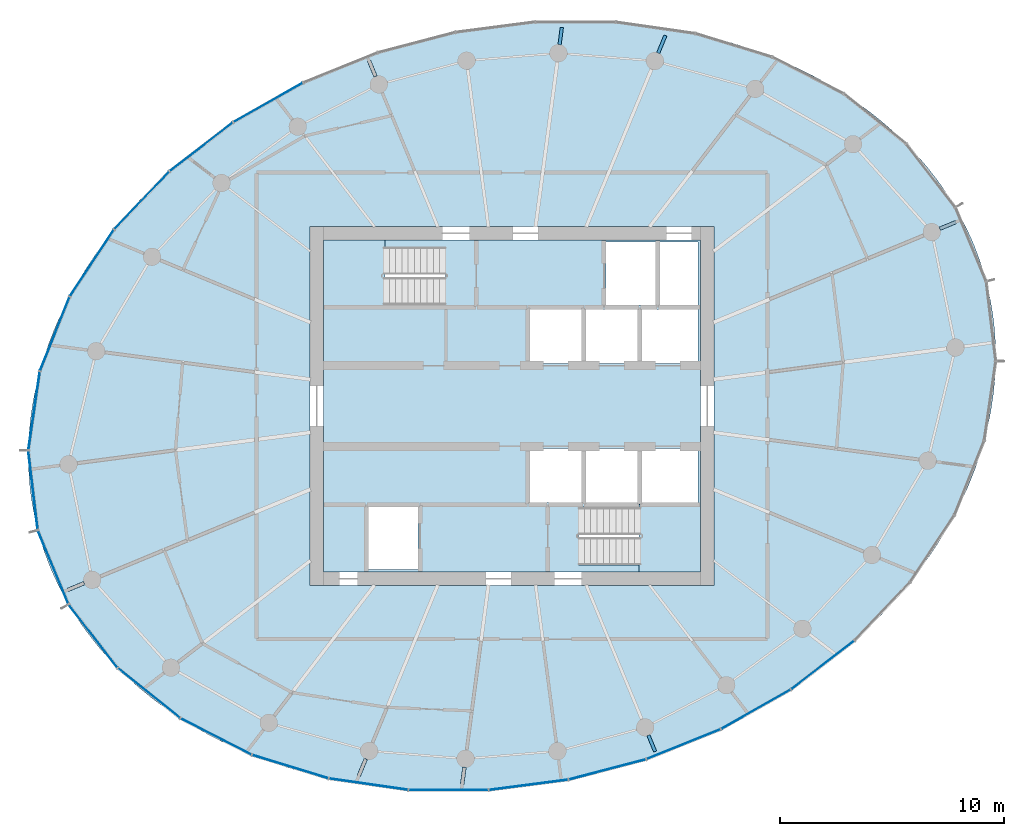
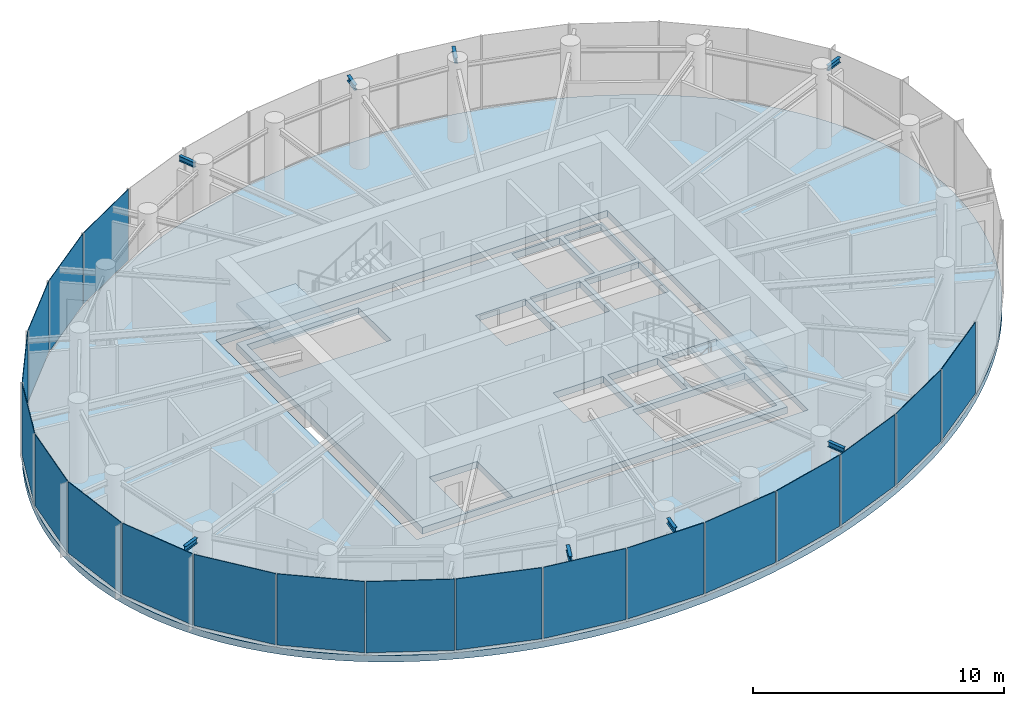
# One storey, part 7 of 13: 19 plates, 8 beams, 4 slabs, 6 elements without a shape of their own.
"""IFC4 building model written with IfcOpenShell, lengths in metres."""

from ifc_helpers import new_model, si_unit, direction, frame, origin, origin_2d, place, context, subcontext, project, spatial, line, indexed_curve, rectangle, i_section, outline, extrude, source, transform, mapped, material, layer, layer_set, material_profile, profile_set, type_object, element, aggregate, save


model = new_model("IFC4")

# Units and contexts
model_context = context("Model", 3, precision=1e-05, world=origin(), true_north=direction((0.0, 1.0)))
body_context = subcontext(model_context, "Body", "Model", "MODEL_VIEW")
ifc_project = project(units=[si_unit("LENGTHUNIT", "METRE"), si_unit("AREAUNIT", "SQUARE_METRE"), si_unit("VOLUMEUNIT", "CUBIC_METRE"), si_unit("PLANEANGLEUNIT", "RADIAN"), si_unit("MASSUNIT", "GRAM", prefix="KILO")], contexts=[model_context])

# Site, building, storey
site_placement = place(None, origin())
site = spatial("IfcSite", under=ifc_project, at=site_placement, CompositionType="ELEMENT")
building_placement = place(site_placement, origin())
building = spatial("IfcBuilding", under=site, at=building_placement, Name="Spindrift Exchange Tower", CompositionType="ELEMENT")
storey_placement = place(building_placement, frame((0.0, 0.0, 257.89990234375)))
storey = spatial("IfcBuildingStorey", under=building, at=storey_placement, Name="L63", CompositionType="ELEMENT", Elevation=257.89990234375)

# Beams
ifc_material_1 = material(Name="Steel Grade 300", Category="steel")
ifc_material_profile = material_profile(ifc_material_1, i_section(OverallWidth=0.14599609375, OverallDepth=0.251953125, WebThickness=0.006103515625, FlangeThickness=0.008544921875, FilletRadius=0.011962890625, at=origin_2d()), Name="250UB31.4")
ifc_profile_set = profile_set([ifc_material_profile], Name="Steel Grade 300")
beam_type = type_object("IfcBeamType", Name="Cantilever Beam 250UB31.4 Steel Grade 300", PredefinedType="BEAM", material=ifc_profile_set)
shared_shape_1 = source(origin(), body_context, "Body", "SweptSolid", [
    extrude(i_section(OverallWidth=0.14599609375, OverallDepth=0.251953125, WebThickness=0.006103515625, FlangeThickness=0.008544921875, FilletRadius=0.011962890625, at=origin_2d()), origin(), (0.0, 0.0, 1.0), 0.844482421875),
])
for number, where, z_axis, x_axis, name in (
    (1, (58.51708984375, 63.733642578125, 3.4541015625), (0.382726229306, 0.923861804277, 0.0), (-0.923861804277, 0.382726229306, 0.0), "L63 cantilever beam R05T"),
    (2, (45.48291015625, 32.266357421875, 3.4541015625), (-0.382726229306, -0.923861804277, 0.0), (0.923861804277, -0.382726229306, 0.0), "L63 cantilever beam R17T"),
):
    element("IfcBeam", number, at=place(storey_placement, frame(where, z_axis=z_axis, x_axis=x_axis)), inside=storey, type_object=beam_type, Name=name, PredefinedType="BEAM", context=body_context, shape_type="MappedRepresentation", body=[
        mapped(shared_shape_1, transform((0.0, 0.0, 0.0), scale=1.0)),
    ])
shared_shape_2 = source(origin(), body_context, "Body", "SweptSolid", [
    extrude(i_section(OverallWidth=0.14599609375, OverallDepth=0.251953125, WebThickness=0.006103515625, FlangeThickness=0.008544921875, FilletRadius=0.011962890625, at=origin_2d()), origin(), (0.0, 0.0, 1.0), 0.7822265625),
])
for number, where, z_axis, x_axis, name in (
    (3, (71.07080078125, 55.8994140625, 3.4541015625), (0.923887493655, 0.382664211899, 0.0), (-0.382664211899, 0.923887493655, 0.0), "L63 cantilever beam R02T"),
    (4, (32.92919921875, 40.1005859375, 3.4541015625), (-0.923887493655, -0.382664211899, 0.0), (0.382664211899, -0.923887493655, 0.0), "L63 cantilever beam R14T"),
):
    element("IfcBeam", number, at=place(storey_placement, frame(where, z_axis=z_axis, x_axis=x_axis)), inside=storey, type_object=beam_type, Name=name, PredefinedType="BEAM", context=body_context, shape_type="MappedRepresentation", body=[
        mapped(shared_shape_2, transform((0.0, 0.0, 0.0), scale=1.0)),
    ])
shared_shape_3 = source(origin(), body_context, "Body", "SweptSolid", [
    extrude(i_section(OverallWidth=0.14599609375, OverallDepth=0.251953125, WebThickness=0.006103515625, FlangeThickness=0.008544921875, FilletRadius=0.011962890625, at=origin_2d()), origin(), (0.0, 0.0, 1.0), 0.7734375),
])
for number, where, z_axis, x_axis, name in (
    (5, (54.12060546875, 64.108154296875, 3.4541015625), (0.130674963157, 0.991425263953, 0.0), (-0.991425263953, 0.130674963157, 0.0), "L63 cantilever beam R06T"),
    (6, (49.87939453125, 31.891845703125, 3.4541015625), (-0.130674963157, -0.991425263953, 0.0), (0.991425263953, -0.130674963157, 0.0), "L63 cantilever beam R18T"),
):
    element("IfcBeam", number, at=place(storey_placement, frame(where, z_axis=z_axis, x_axis=x_axis)), inside=storey, type_object=beam_type, Name=name, PredefinedType="BEAM", context=body_context, shape_type="MappedRepresentation", body=[
        mapped(shared_shape_3, transform((0.0, 0.0, 0.0), scale=1.0)),
    ])
shared_shape_4 = source(origin(), body_context, "Body", "SweptSolid", [
    extrude(i_section(OverallWidth=0.14599609375, OverallDepth=0.251953125, WebThickness=0.006103515625, FlangeThickness=0.008544921875, FilletRadius=0.011962890625, at=origin_2d()), origin(), (0.0, 0.0, 1.0), 0.784912109375),
])
for number, where, z_axis, x_axis, name in (
    (7, (45.917236328125, 62.68505859375, 3.4541015625), (-0.382626535499, 0.923903097912, 0.0), (-0.923903097912, -0.382626535499, 0.0), "L63 cantilever beam R08T"),
    (8, (58.082763671875, 33.31494140625, 3.4541015625), (0.382626535499, -0.923903097912, 0.0), (0.923903097912, 0.382626535499, 0.0), "L63 cantilever beam R20T"),
):
    element("IfcBeam", number, at=place(storey_placement, frame(where, z_axis=z_axis, x_axis=x_axis)), inside=storey, type_object=beam_type, Name=name, PredefinedType="BEAM", context=body_context, shape_type="MappedRepresentation", body=[
        mapped(shared_shape_4, transform((0.0, 0.0, 0.0), scale=1.0)),
    ])

# Slabs
ifc_material_2 = material(Name="Concrete 40 MPa", Category="concrete")
ifc_layer_1 = layer(ifc_material_2, 0.320068359375)
ifc_layer_set_1 = layer_set([ifc_layer_1], Name="RC Floor Slab 320 Concrete 40 MPa")
slab_type_1 = type_object("IfcSlabType", Name="RC Floor Slab 320 Concrete 40 MPa", PredefinedType="FLOOR", material=ifc_layer_set_1)
slab_1_placement = place(storey_placement, frame((0.0, 0.0, -0.31982421875)))
element("IfcSlab", 9, at=slab_1_placement, inside=storey, type_object=slab_type_1, Name="Floor slab L63", PredefinedType="FLOOR", context=body_context, shape_type="SweptSolid", body=[
    extrude(outline(indexed_curve([(73.144287109375, 53.545654296875), (73.05419921875, 53.872314453125), (72.84814453125, 54.51806640625), (72.608642578125, 55.152099609375), (72.4765625, 55.464111328125), (72.188720703125, 56.077880859375), (71.869873046875, 56.676025390625), (71.521484375, 57.25732421875), (71.144775390625, 57.82080078125), (70.946044921875, 58.095458984375), (70.529541015625, 58.630126953125), (70.31201171875, 58.889892578125), (69.85888671875, 59.394287109375), (69.383544921875, 59.87744140625), (68.887451171875, 60.339111328125), (68.632080078125, 60.56201171875), (68.107421875, 60.9912109375), (67.838623046875, 61.197509765625), (67.28857421875, 61.593994140625), (66.7236328125, 61.96826171875), (66.435791015625, 62.147216796875), (65.85009765625, 62.48876953125), (65.552734375, 62.6513671875), (64.94970703125, 62.96044921875), (64.643798828125, 63.10693359375), (64.025390625, 63.384033203125), (63.712646484375, 63.5146484375), (63.080810546875, 63.76025390625), (62.44140625, 63.9853515625), (62.119140625, 64.090087890625), (61.795166015625, 64.18994140625), (61.14306640625, 64.37451171875), (60.485595703125, 64.53955078125), (60.155029296875, 64.61474609375), (59.157470703125, 64.811279296875), (58.152587890625, 64.965576171875), (57.14208984375, 65.078125), (56.1279296875, 65.150146484375), (55.111572265625, 65.182373046875), (54.094970703125, 65.17529296875), (53.0791015625, 65.130126953125), (52.06591796875, 65.047119140625), (51.05615234375, 64.927001953125), (50.3857421875, 64.826416015625), (49.718017578125, 64.7099609375), (48.72216796875, 64.505126953125), (47.734130859375, 64.264892578125), (47.08056640625, 64.085205078125), (46.431396484375, 63.889892578125), (45.467041015625, 63.56787109375), (44.514892578125, 63.211181640625), (43.576171875, 62.820556640625), (42.652587890625, 62.3955078125), (41.745361328125, 61.936279296875), (40.856201171875, 61.443603515625), (39.986328125, 60.916748046875), (39.13818359375, 60.356201171875), (38.31298828125, 59.76220703125), (37.512939453125, 59.134521484375), (36.740478515625, 58.4736328125), (36.24169921875, 58.0146484375), (35.99755859375, 57.77978515625), (35.519775390625, 57.298583984375), (35.28662109375, 57.052734375), (34.831787109375, 56.550048828125), (34.610595703125, 56.293212890625), (34.1806640625, 55.769287109375), (33.972412109375, 55.501953125), (33.7685546875, 55.231201171875), (33.375, 54.67919921875), (33.0009765625, 54.114013671875), (32.82177734375, 53.826171875), (32.479248046875, 53.2412109375), (32.31640625, 52.944091796875), (32.007568359375, 52.3408203125), (31.722900390625, 51.7255859375), (31.590087890625, 51.413818359375), (31.343505859375, 50.7822265625), (31.1240234375, 50.14111328125), (31.024658203125, 49.81689453125), (30.847900390625, 49.16259765625), (30.70068359375, 48.5009765625), (30.638427734375, 48.167724609375), (30.5380859375, 47.49755859375), (30.4697265625, 46.8232421875), (30.447998046875, 46.48486328125), (30.4296875, 45.807373046875), (30.4453125, 45.1298828125), (30.495849609375, 44.453857421875), (30.533935546875, 44.1171875), (30.580810546875, 43.781494140625), (30.700927734375, 43.1142578125), (30.855712890625, 42.454345703125), (30.94580078125, 42.127685546875), (31.15185546875, 41.48193359375), (31.391357421875, 40.847900390625), (31.5234375, 40.535888671875), (31.811279296875, 39.922119140625), (32.130126953125, 39.323974609375), (32.478515625, 38.74267578125), (32.855224609375, 38.17919921875), (33.053955078125, 37.904541015625), (33.470458984375, 37.369873046875), (33.68798828125, 37.110107421875), (34.14111328125, 36.605712890625), (34.616455078125, 36.12255859375), (35.112548828125, 35.660888671875), (35.367919921875, 35.43798828125), (35.892578125, 35.0087890625), (36.161376953125, 34.802490234375), (36.71142578125, 34.406005859375), (37.2763671875, 34.03173828125), (37.564208984375, 33.852783203125), (38.14990234375, 33.51123046875), (38.447265625, 33.3486328125), (39.05029296875, 33.03955078125), (39.356201171875, 32.89306640625), (39.974609375, 32.615966796875), (40.287353515625, 32.4853515625), (40.919189453125, 32.23974609375), (41.55859375, 32.0146484375), (41.880859375, 31.909912109375), (42.204833984375, 31.81005859375), (42.85693359375, 31.62548828125), (43.514404296875, 31.46044921875), (43.844970703125, 31.38525390625), (44.842529296875, 31.188720703125), (45.847412109375, 31.034423828125), (46.85791015625, 30.921875), (47.8720703125, 30.849853515625), (48.888427734375, 30.817626953125), (49.905029296875, 30.82470703125), (50.9208984375, 30.869873046875), (51.93408203125, 30.952880859375), (52.94384765625, 31.072998046875), (53.6142578125, 31.173583984375), (54.281982421875, 31.2900390625), (55.27783203125, 31.494873046875), (56.265869140625, 31.735107421875), (56.91943359375, 31.914794921875), (57.568603515625, 32.110107421875), (58.532958984375, 32.43212890625), (59.485107421875, 32.788818359375), (60.423828125, 33.179443359375), (61.347412109375, 33.6044921875), (62.254638671875, 34.063720703125), (63.143798828125, 34.556396484375), (64.013671875, 35.083251953125), (64.86181640625, 35.643798828125), (65.68701171875, 36.23779296875), (66.487060546875, 36.865478515625), (67.259521484375, 37.5263671875), (67.75830078125, 37.9853515625), (68.00244140625, 38.22021484375), (68.480224609375, 38.701416015625), (68.71337890625, 38.947265625), (69.168212890625, 39.449951171875), (69.389404296875, 39.706787109375), (69.8193359375, 40.230712890625), (70.027587890625, 40.498046875), (70.2314453125, 40.768798828125), (70.625, 41.32080078125), (70.9990234375, 41.885986328125), (71.17822265625, 42.173828125), (71.520751953125, 42.7587890625), (71.68359375, 43.055908203125), (71.992431640625, 43.6591796875), (72.277099609375, 44.2744140625), (72.409912109375, 44.586181640625), (72.656494140625, 45.2177734375), (72.8759765625, 45.85888671875), (72.975341796875, 46.18310546875), (73.152099609375, 46.83740234375), (73.29931640625, 47.4990234375), (73.361572265625, 47.832275390625), (73.4619140625, 48.50244140625), (73.5302734375, 49.1767578125), (73.552001953125, 49.51513671875), (73.5703125, 50.192626953125), (73.5546875, 50.8701171875), (73.504150390625, 51.546142578125), (73.466064453125, 51.8828125), (73.419189453125, 52.218505859375), (73.299072265625, 52.8857421875)], segments=[line(1, 2, 3, 4, 5, 6, 7, 8, 9, 10, 11, 12, 13, 14, 15, 16, 17, 18, 19, 20, 21, 22, 23, 24, 25, 26, 27, 28, 29, 30, 31, 32, 33, 34, 35, 36, 37, 38, 39, 40, 41, 42, 43, 44, 45, 46, 47, 48, 49, 50, 51, 52, 53, 54, 55, 56, 57, 58, 59, 60, 61, 62, 63, 64, 65, 66, 67, 68, 69, 70, 71, 72, 73, 74, 75, 76, 77, 78, 79, 80, 81, 82, 83, 84, 85, 86, 87, 88, 89, 90, 91, 92, 93, 94, 95, 96, 97, 98, 99, 100, 101, 102, 103, 104, 105, 106, 107, 108, 109, 110, 111, 112, 113, 114, 115, 116, 117, 118, 119, 120, 121, 122, 123, 124, 125, 126, 127, 128, 129, 130, 131, 132, 133, 134, 135, 136, 137, 138, 139, 140, 141, 142, 143, 144, 145, 146, 147, 148, 149, 150, 151, 152, 153, 154, 155, 156, 157, 158, 159, 160, 161, 162, 163, 164, 165, 166, 167, 168, 169, 170, 171, 172, 173, 174, 175, 176, 177, 178, 179, 180, 181, 182, 183, 184, 1)], self_intersect=False), holes=[indexed_curve([(43.0, 40.0), (61.0, 40.0), (61.0, 56.0), (43.0, 56.0)], segments=[line(1, 2, 3, 4, 1)], self_intersect=False)]), origin(), (0.0, 0.0, 1.0), 0.31982421875),
])
ifc_material_3 = material(Name="Concrete 50 MPa", Category="concrete")
ifc_layer_2 = layer(ifc_material_3, 0.320068359375)
ifc_layer_set_2 = layer_set([ifc_layer_2], Name="SL-CORE-FLOOR-320")
slab_type_2 = type_object("IfcSlabType", Name="SL-CORE-FLOOR-320", PredefinedType="FLOOR", material=ifc_layer_set_2)
slab_2_placement = place(storey_placement, frame((0.0, 0.0, -0.31982421875)))
element("IfcSlab", 10, at=slab_2_placement, inside=storey, type_object=slab_type_2, Name="L63 Core floor slab", PredefinedType="FLOOR", context=body_context, shape_type="SweptSolid", body=[
    extrude(outline(indexed_curve([(43.60009765625, 40.60009765625), (43.60009765625, 55.39990234375), (60.39990234375, 55.39990234375), (60.39990234375, 40.60009765625)], segments=[line(1, 2, 3, 4, 1)], self_intersect=False), holes=[indexed_curve([(45.60009765625, 43.5), (45.60009765625, 40.699951171875), (47.800048828125, 40.699951171875), (47.800048828125, 43.5)], segments=[line(1, 2, 3, 4, 1)], self_intersect=False), indexed_curve([(52.800048828125, 46.10009765625), (52.800048828125, 43.699951171875), (55.10009765625, 43.699951171875), (55.10009765625, 46.10009765625)], segments=[line(1, 2, 3, 4, 1)], self_intersect=False), indexed_curve([(55.300048828125, 46.10009765625), (55.300048828125, 43.699951171875), (57.60009765625, 43.699951171875), (57.60009765625, 46.10009765625)], segments=[line(1, 2, 3, 4, 1)], self_intersect=False), indexed_curve([(55.10009765625, 52.300048828125), (52.800048828125, 52.300048828125), (52.800048828125, 49.89990234375), (55.10009765625, 49.89990234375)], segments=[line(1, 2, 3, 4, 1)], self_intersect=False), indexed_curve([(57.60009765625, 52.300048828125), (55.300048828125, 52.300048828125), (55.300048828125, 49.89990234375), (57.60009765625, 49.89990234375)], segments=[line(1, 2, 3, 4, 1)], self_intersect=False), indexed_curve([(43.906005859375, 52.506103515625), (49.0439453125, 52.506103515625), (49.0439453125, 55.093994140625), (43.906005859375, 55.093994140625)], segments=[line(1, 2, 3, 4, 1)], self_intersect=False), indexed_curve([(60.093994140625, 40.906005859375), (60.093994140625, 43.493896484375), (54.9560546875, 43.493896484375), (54.9560546875, 40.906005859375)], segments=[line(1, 2, 3, 4, 1)], self_intersect=False), indexed_curve([(60.300048828125, 46.10009765625), (57.800048828125, 46.10009765625), (57.800048828125, 43.699951171875), (60.300048828125, 43.699951171875)], segments=[line(1, 2, 3, 4, 1)], self_intersect=False), indexed_curve([(57.800048828125, 52.300048828125), (57.800048828125, 49.89990234375), (60.300048828125, 49.89990234375), (60.300048828125, 52.300048828125)], segments=[line(1, 2, 3, 4, 1)], self_intersect=False), indexed_curve([(58.39990234375, 55.300048828125), (56.199951171875, 55.300048828125), (56.199951171875, 52.5), (58.39990234375, 52.5)], segments=[line(1, 2, 3, 4, 1)], self_intersect=False), indexed_curve([(60.300048828125, 55.300048828125), (58.60009765625, 55.300048828125), (58.60009765625, 52.5), (60.300048828125, 52.5)], segments=[line(1, 2, 3, 4, 1)], self_intersect=False)]), origin(), (0.0, 0.0, 1.0), 0.31982421875),
])

# Stair, slab
stair_type = type_object("IfcStairType", Name="ST-1250-R177", PredefinedType="HALF_TURN_STAIR", material=ifc_material_3)
stair_1_placement = place(storey_placement, origin())
stair_1 = element("IfcStair", 11, at=stair_1_placement, inside=storey, type_object=stair_type, Name="L63 Exit stair ST1", PredefinedType="HALF_TURN_STAIR")
ifc_layer_3 = layer(ifc_material_3, 0.199951171875)
ifc_layer_set_3 = layer_set([ifc_layer_3], Name="SL-LANDING")
slab_type_3 = type_object("IfcSlabType", Name="SL-LANDING", PredefinedType="LANDING", material=ifc_layer_set_3)
slab_3_placement = place(storey_placement, frame((0.0, 0.0, 1.75)))
slab_3 = element("IfcSlab", 12, at=slab_3_placement, type_object=slab_type_3, Name="ST1 landing 1", PredefinedType="LANDING", context=body_context, shape_type="SweptSolid", body=[
    extrude(outline(indexed_curve([(46.330078125, 52.39990234375), (43.60009765625, 52.39990234375), (43.60009765625, 55.39990234375), (46.330078125, 55.39990234375)], segments=[line(1, 2, 3, 4, 1)], self_intersect=False)), origin(), (0.0, 0.0, 1.0), 0.2001953125),
])
aggregate(stair_1, [slab_3])

stair_2_placement = place(storey_placement, origin())
stair_2 = element("IfcStair", 13, at=stair_2_placement, inside=storey, type_object=stair_type, Name="L63 Exit stair ST2", PredefinedType="HALF_TURN_STAIR")
slab_4_placement = place(storey_placement, frame((0.0, 0.0, 1.75)))
slab_4 = element("IfcSlab", 14, at=slab_4_placement, type_object=slab_type_3, Name="ST2 landing 1", PredefinedType="LANDING", context=body_context, shape_type="SweptSolid", body=[
    extrude(outline(indexed_curve([(57.669921875, 43.60009765625), (60.39990234375, 43.60009765625), (60.39990234375, 40.60009765625), (57.669921875, 40.60009765625)], segments=[line(1, 2, 3, 4, 1)], self_intersect=False)), origin(), (0.0, 0.0, 1.0), 0.2001953125),
])
aggregate(stair_2, [slab_4])

# Curtain wall, plates
ifc_material_4 = material(Name="Fritted laminated glass with bronze frame", Category="glass")
ifc_layer_4 = layer(ifc_material_4, 0.159912109375)
ifc_layer_set_4 = layer_set([ifc_layer_4], Name="ZONE 5 BRONZE FRITTED WALL")
curtain_wall_type = type_object("IfcCurtainWallType", Name="ZONE 5 BRONZE FRITTED WALL", PredefinedType="NOTDEFINED", material=ifc_layer_set_4)
curtain_wall_1_placement = place(storey_placement, origin())
curtain_wall_1 = element("IfcCurtainWall", 15, at=curtain_wall_1_placement, inside=storey, type_object=curtain_wall_type, Name="L63 Zone 5 Bronze Fritted Wall run 5", PredefinedType="NOTDEFINED")
ifc_material_5 = material(Name="Bronze fritted laminated glass, open frit", Category="glass")
ifc_layer_5 = layer(ifc_material_5, 0.028076171875)
ifc_layer_set_5 = layer_set([ifc_layer_5], Name="ZONE 5 BRONZE FRITTED WALL PANEL OPEN FRIT 360")
plate_type_1 = type_object("IfcPlateType", Name="ZONE 5 BRONZE FRITTED WALL PANEL OPEN FRIT 360", PredefinedType="CURTAIN_PANEL", material=ifc_layer_set_5)
shared_shape_5 = source(origin(), body_context, "Body", "SweptSolid", [
    extrude(rectangle(XDim=3.5263671875, YDim=0.028076171875, at=origin_2d()), origin(), (0.0, 0.0, 1.0), 3.4599609375),
])
plate_1_placement = place(storey_placement, frame((56.25146484375, 31.789794921875, 0.1201171875), z_axis=(0.0, 0.0, 1.0), x_axis=(0.967288565406, 0.253678598298, 0.0)))
plate_1 = element("IfcPlate", 16, at=plate_1_placement, type_object=plate_type_1, Name="L63 panel CW-5.26", PredefinedType="CURTAIN_PANEL", context=body_context, shape_type="MappedRepresentation", body=[
    mapped(shared_shape_5, transform((0.0, 0.0, 0.0), scale=1.0)),
])
ifc_layer_6 = layer(ifc_material_5, 0.028076171875)
ifc_layer_set_6 = layer_set([ifc_layer_6], Name="ZONE 5 BRONZE FRITTED WALL PANEL OPEN FRIT 480")
plate_type_2 = type_object("IfcPlateType", Name="ZONE 5 BRONZE FRITTED WALL PANEL OPEN FRIT 480", PredefinedType="CURTAIN_PANEL", material=ifc_layer_set_6)
shared_shape_6 = source(origin(), body_context, "Body", "SweptSolid", [
    extrude(rectangle(XDim=3.526123046875, YDim=0.028076171875, at=origin_2d()), origin(), (0.0, 0.0, 1.0), 3.4599609375),
])
plate_2_placement = place(storey_placement, frame((59.648681640625, 32.916015625, 0.1201171875), z_axis=(0.0, 0.0, 1.0), x_axis=(0.927298881706, 0.374321765313, 0.0)))
plate_2 = element("IfcPlate", 17, at=plate_2_placement, type_object=plate_type_2, Name="L63 panel CW-5.27", PredefinedType="CURTAIN_PANEL", context=body_context, shape_type="MappedRepresentation", body=[
    mapped(shared_shape_6, transform((0.0, 0.0, 0.0), scale=1.0)),
])
ifc_layer_7 = layer(ifc_material_5, 0.028076171875)
ifc_layer_set_7 = layer_set([ifc_layer_7], Name="ZONE 5 BRONZE FRITTED WALL PANEL OPEN FRIT 600")
plate_type_3 = type_object("IfcPlateType", Name="ZONE 5 BRONZE FRITTED WALL PANEL OPEN FRIT 600", PredefinedType="CURTAIN_PANEL", material=ifc_layer_set_7)
shared_shape_7 = source(origin(), body_context, "Body", "SweptSolid", [
    extrude(rectangle(XDim=3.526123046875, YDim=0.028076171875, at=origin_2d()), origin(), (0.0, 0.0, 1.0), 3.4599609375),
])
plate_3_placement = place(storey_placement, frame((52.73876953125, 31.103759765625, 0.1201171875), z_axis=(0.0, 0.0, 1.0), x_axis=(0.991649118387, 0.128965212376, 0.0)))
plate_3 = element("IfcPlate", 18, at=plate_3_placement, type_object=plate_type_3, Name="L63 panel CW-5.25", PredefinedType="CURTAIN_PANEL", context=body_context, shape_type="MappedRepresentation", body=[
    mapped(shared_shape_7, transform((0.0, 0.0, 0.0), scale=1.0)),
])

# Curtain wall, plate
curtain_wall_2_placement = place(storey_placement, origin())
curtain_wall_2 = element("IfcCurtainWall", 19, at=curtain_wall_2_placement, inside=storey, type_object=curtain_wall_type, Name="L63 Zone 5 Bronze Fritted Wall run 3", PredefinedType="NOTDEFINED")
shared_shape_8 = source(origin(), body_context, "Body", "SweptSolid", [
    extrude(rectangle(XDim=3.524658203125, YDim=0.028076171875, at=origin_2d()), origin(), (0.0, 0.0, 1.0), 3.4599609375),
])
plate_4_placement = place(storey_placement, frame((35.490478515625, 57.16162109375, 0.1201171875), z_axis=(0.0, 0.0, 1.0), x_axis=(-0.689113808387, -0.724653130187, 0.0)))
plate_4 = element("IfcPlate", 20, at=plate_4_placement, type_object=plate_type_1, Name="L63 panel CW-5.13", PredefinedType="CURTAIN_PANEL", context=body_context, shape_type="MappedRepresentation", body=[
    mapped(shared_shape_8, transform((0.0, 0.0, 0.0), scale=1.0)),
])

curtain_wall_3_placement = place(storey_placement, origin())
curtain_wall_3 = element("IfcCurtainWall", 21, at=curtain_wall_3_placement, inside=storey, type_object=curtain_wall_type, Name="L63 Zone 5 Bronze Fritted Wall run 4", PredefinedType="NOTDEFINED")
plate_5_placement = place(storey_placement, frame((42.11181640625, 31.9150390625, 0.1201171875), z_axis=(0.0, 0.0, 1.0), x_axis=(0.956054878395, -0.29318777174, 0.0)))
plate_5 = element("IfcPlate", 22, at=plate_5_placement, type_object=plate_type_1, Name="L63 panel CW-5.22", PredefinedType="CURTAIN_PANEL", context=body_context, shape_type="MappedRepresentation", body=[
    mapped(shared_shape_8, transform((0.0, 0.0, 0.0), scale=1.0)),
])

# Plate
shared_shape_9 = source(origin(), body_context, "Body", "SweptSolid", [
    extrude(rectangle(XDim=3.521484375, YDim=0.028076171875, at=origin_2d()), origin(), (0.0, 0.0, 1.0), 3.4599609375),
])
plate_6_placement = place(storey_placement, frame((31.613525390625, 51.211181640625, 0.1201171875), z_axis=(0.0, 0.0, 1.0), x_axis=(-0.371458582531, -0.928449525534, 0.0)))
plate_6 = element("IfcPlate", 23, at=plate_6_placement, type_object=plate_type_1, Name="L63 panel CW-5.15", PredefinedType="CURTAIN_PANEL", context=body_context, shape_type="MappedRepresentation", body=[
    mapped(shared_shape_9, transform((0.0, 0.0, 0.0), scale=1.0)),
])

shared_shape_10 = source(origin(), body_context, "Body", "SweptSolid", [
    extrude(rectangle(XDim=3.519287109375, YDim=0.028076171875, at=origin_2d()), origin(), (0.0, 0.0, 1.0), 3.4599609375),
])
plate_7_placement = place(storey_placement, frame((30.68994140625, 47.777587890625, 0.1201171875), z_axis=(0.0, 0.0, 1.0), x_axis=(-0.144385560759, -0.989521505499, 0.0)))
plate_7 = element("IfcPlate", 24, at=plate_7_placement, type_object=plate_type_1, Name="L63 panel CW-5.16", PredefinedType="CURTAIN_PANEL", context=body_context, shape_type="MappedRepresentation", body=[
    mapped(shared_shape_10, transform((0.0, 0.0, 0.0), scale=1.0)),
])

plate_8_placement = place(storey_placement, frame((33.32373046875, 37.735107421875, 0.1201171875), z_axis=(0.0, 0.0, 1.0), x_axis=(0.611462133686, -0.791273694159, 0.0)))
plate_8 = element("IfcPlate", 25, at=plate_8_placement, type_object=plate_type_1, Name="L63 panel CW-5.19", PredefinedType="CURTAIN_PANEL", context=body_context, shape_type="MappedRepresentation", body=[
    mapped(shared_shape_10, transform((0.0, 0.0, 0.0), scale=1.0)),
])

shared_shape_11 = source(origin(), body_context, "Body", "SweptSolid", [
    extrude(rectangle(XDim=3.521484375, YDim=0.028076171875, at=origin_2d()), origin(), (0.0, 0.0, 1.0), 3.4599609375),
])
plate_9_placement = place(storey_placement, frame((35.813720703125, 35.19677734375, 0.1201171875), z_axis=(0.0, 0.0, 1.0), x_axis=(0.779310623441, -0.626637815802, 0.0)))
plate_9 = element("IfcPlate", 26, at=plate_9_placement, type_object=plate_type_3, Name="L63 panel CW-5.20", PredefinedType="CURTAIN_PANEL", context=body_context, shape_type="MappedRepresentation", body=[
    mapped(shared_shape_11, transform((0.0, 0.0, 0.0), scale=1.0)),
])

shared_shape_12 = source(origin(), body_context, "Body", "SweptSolid", [
    extrude(rectangle(XDim=3.5234375, YDim=0.028076171875, at=origin_2d()), origin(), (0.0, 0.0, 1.0), 3.4599609375),
])
plate_10_placement = place(storey_placement, frame((33.26708984375, 54.368408203125, 0.1201171875), z_axis=(0.0, 0.0, 1.0), x_axis=(-0.551605109208, -0.83410539112, 0.0)))
plate_10 = element("IfcPlate", 27, at=plate_10_placement, type_object=plate_type_1, Name="L63 panel CW-5.14", PredefinedType="CURTAIN_PANEL", context=body_context, shape_type="MappedRepresentation", body=[
    mapped(shared_shape_12, transform((0.0, 0.0, 0.0), scale=1.0)),
])

# Curtain wall, plate
curtain_wall_4_placement = place(storey_placement, origin())
curtain_wall_4 = element("IfcCurtainWall", 28, at=curtain_wall_4_placement, inside=storey, type_object=curtain_wall_type, Name="L63 Zone 5 Bronze Fritted Wall run 2", PredefinedType="NOTDEFINED")
shared_shape_13 = source(origin(), body_context, "Body", "SweptSolid", [
    extrude(rectangle(XDim=3.525390625, YDim=0.028076171875, at=origin_2d()), origin(), (0.0, 0.0, 1.0), 3.4599609375),
])
plate_11_placement = place(storey_placement, frame((38.146728515625, 59.55322265625, 0.1201171875), z_axis=(0.0, 0.0, 1.0), x_axis=(-0.792692004693, -0.609622330379, 0.0)))
plate_11 = element("IfcPlate", 29, at=plate_11_placement, type_object=plate_type_2, Name="L63 panel CW-5.12", PredefinedType="CURTAIN_PANEL", context=body_context, shape_type="MappedRepresentation", body=[
    mapped(shared_shape_13, transform((0.0, 0.0, 0.0), scale=1.0)),
])

# Plate
shared_shape_14 = source(origin(), body_context, "Body", "SweptSolid", [
    extrude(rectangle(XDim=3.52587890625, YDim=0.028076171875, at=origin_2d()), origin(), (0.0, 0.0, 1.0), 3.4599609375),
])
plate_12_placement = place(storey_placement, frame((49.16748046875, 30.876220703125, 0.1201171875), z_axis=(0.0, 0.0, 1.0), x_axis=(0.999997755281, -0.002118828127, 0.0)))
plate_12 = element("IfcPlate", 30, at=plate_12_placement, type_object=plate_type_3, Name="L63 panel CW-5.24", PredefinedType="CURTAIN_PANEL", context=body_context, shape_type="MappedRepresentation", body=[
    mapped(shared_shape_14, transform((0.0, 0.0, 0.0), scale=1.0)),
])

shared_shape_15 = source(origin(), body_context, "Body", "SweptSolid", [
    extrude(rectangle(XDim=3.517578125, YDim=0.028076171875, at=origin_2d()), origin(), (0.0, 0.0, 1.0), 3.4599609375),
])
plate_13_placement = place(storey_placement, frame((30.6435546875, 44.230712890625, 0.1201171875), z_axis=(0.0, 0.0, 1.0), x_axis=(0.118546077337, -0.992948552317, 0.0)))
plate_13 = element("IfcPlate", 31, at=plate_13_placement, type_object=plate_type_3, Name="L63 panel CW-5.17", PredefinedType="CURTAIN_PANEL", context=body_context, shape_type="MappedRepresentation", body=[
    mapped(shared_shape_15, transform((0.0, 0.0, 0.0), scale=1.0)),
])

plate_14_placement = place(storey_placement, frame((31.54248046875, 40.802734375, 0.1201171875), z_axis=(0.0, 0.0, 1.0), x_axis=(0.384035887258, -0.923318166884, 0.0)))
plate_14 = element("IfcPlate", 32, at=plate_14_placement, type_object=plate_type_3, Name="L63 panel CW-5.18", PredefinedType="CURTAIN_PANEL", context=body_context, shape_type="MappedRepresentation", body=[
    mapped(shared_shape_15, transform((0.0, 0.0, 0.0), scale=1.0)),
])

aggregate(curtain_wall_2, [plate_4, plate_10, plate_6, plate_7, plate_13, plate_14])

shared_shape_16 = source(origin(), body_context, "Body", "SweptSolid", [
    extrude(rectangle(XDim=3.5234375, YDim=0.028076171875, at=origin_2d()), origin(), (0.0, 0.0, 1.0), 3.4599609375),
])
plate_15_placement = place(storey_placement, frame((38.8037109375, 33.257568359375, 0.1201171875), z_axis=(0.0, 0.0, 1.0), x_axis=(0.889968588547, -0.456021832153, 0.0)))
plate_15 = element("IfcPlate", 33, at=plate_15_placement, type_object=plate_type_3, Name="L63 panel CW-5.21", PredefinedType="CURTAIN_PANEL", context=body_context, shape_type="MappedRepresentation", body=[
    mapped(shared_shape_16, transform((0.0, 0.0, 0.0), scale=1.0)),
])

shared_shape_17 = source(origin(), body_context, "Body", "SweptSolid", [
    extrude(rectangle(XDim=3.52587890625, YDim=0.028076171875, at=origin_2d()), origin(), (0.0, 0.0, 1.0), 3.4599609375),
])
plate_16_placement = place(storey_placement, frame((41.128173828125, 61.529541015625, 0.1201171875), z_axis=(0.0, 0.0, 1.0), x_axis=(-0.870237067804, -0.49263317572, 0.0)))
plate_16 = element("IfcPlate", 34, at=plate_16_placement, type_object=plate_type_1, Name="L63 panel CW-5.11", PredefinedType="CURTAIN_PANEL", context=body_context, shape_type="MappedRepresentation", body=[
    mapped(shared_shape_17, transform((0.0, 0.0, 0.0), scale=1.0)),
])

aggregate(curtain_wall_4, [plate_16, plate_11])

plate_17_placement = place(storey_placement, frame((62.871826171875, 34.470458984375, 0.1201171875), z_axis=(0.0, 0.0, 1.0), x_axis=(0.870237067804, 0.49263317572, 0.0)))
plate_17 = element("IfcPlate", 35, at=plate_17_placement, type_object=plate_type_1, Name="L63 panel CW-5.28", PredefinedType="CURTAIN_PANEL", context=body_context, shape_type="MappedRepresentation", body=[
    mapped(shared_shape_17, transform((0.0, 0.0, 0.0), scale=1.0)),
])

shared_shape_18 = source(origin(), body_context, "Body", "SweptSolid", [
    extrude(rectangle(XDim=3.525390625, YDim=0.028076171875, at=origin_2d()), origin(), (0.0, 0.0, 1.0), 3.4599609375),
])
plate_18_placement = place(storey_placement, frame((45.60009765625, 31.135009765625, 0.1201171875), z_axis=(0.0, 0.0, 1.0), x_axis=(0.989852263688, -0.142100302854, 0.0)))
plate_18 = element("IfcPlate", 36, at=plate_18_placement, type_object=plate_type_1, Name="L63 panel CW-5.23", PredefinedType="CURTAIN_PANEL", context=body_context, shape_type="MappedRepresentation", body=[
    mapped(shared_shape_18, transform((0.0, 0.0, 0.0), scale=1.0)),
])

aggregate(curtain_wall_3, [plate_8, plate_9, plate_15, plate_5, plate_18, plate_12])

plate_19_placement = place(storey_placement, frame((65.853271484375, 36.44677734375, 0.1201171875), z_axis=(0.0, 0.0, 1.0), x_axis=(0.792692004693, 0.609622330379, 0.0)))
plate_19 = element("IfcPlate", 37, at=plate_19_placement, type_object=plate_type_1, Name="L63 panel CW-5.29", PredefinedType="CURTAIN_PANEL", context=body_context, shape_type="MappedRepresentation", body=[
    mapped(shared_shape_18, transform((0.0, 0.0, 0.0), scale=1.0)),
])

aggregate(curtain_wall_1, [plate_3, plate_1, plate_2, plate_17, plate_19])

save(model, "model.ifc")
